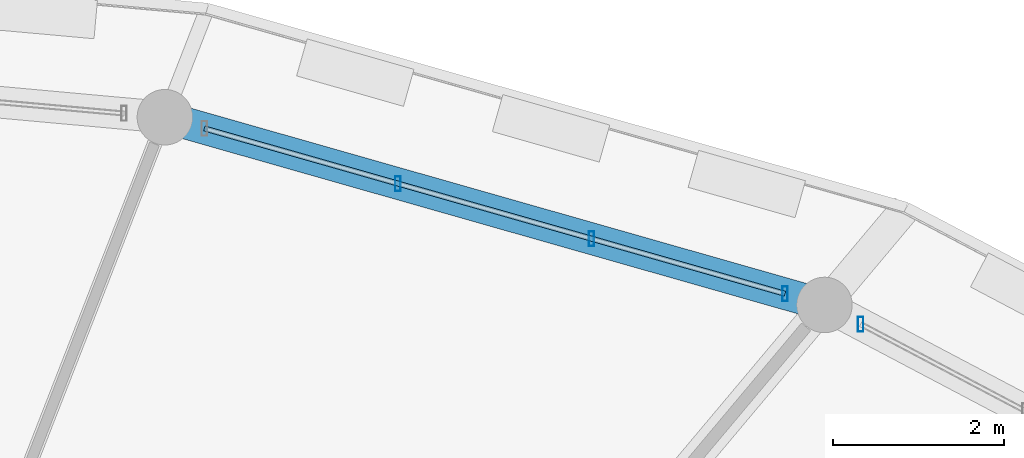
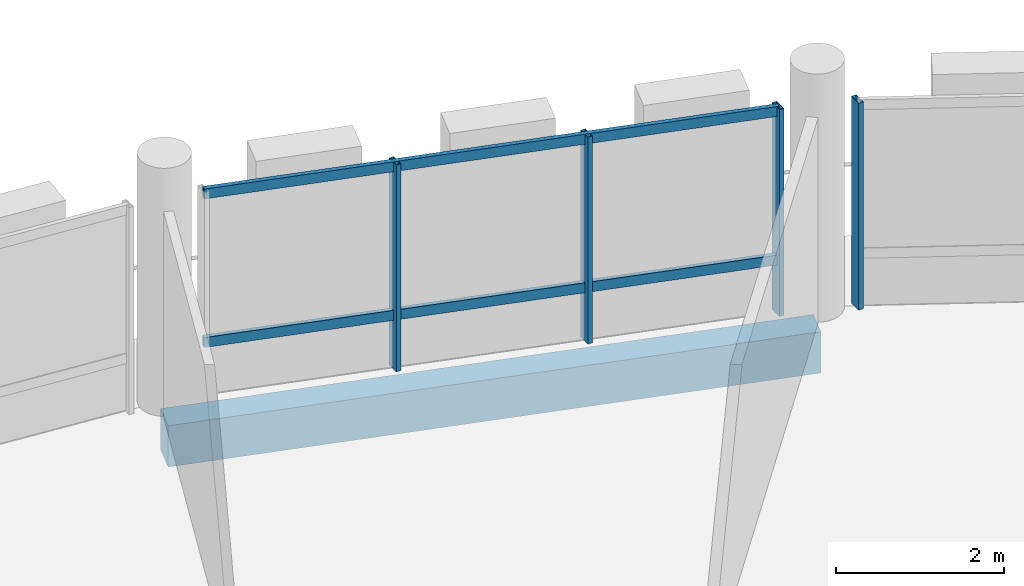
# One storey, part 47 of 93: 6 members, 1 beam, 2 elements without a shape of their own.
"""IFC4 building model written with IfcOpenShell, lengths in metres."""

from ifc_helpers import new_model, si_unit, direction, frame, origin, origin_2d, place, context, subcontext, project, spatial, rectangle, hollow_rectangle, extrude, material, material_profile, profile_set, type_object, element, aggregate, save


model = new_model("IFC4")

# Units and contexts
model_context = context("Model", 3, precision=1e-05, world=origin(), true_north=direction((0.0, 1.0)))
body_context = subcontext(model_context, "Body", "Model", "MODEL_VIEW")
ifc_project = project(units=[si_unit("LENGTHUNIT", "METRE"), si_unit("AREAUNIT", "SQUARE_METRE"), si_unit("VOLUMEUNIT", "CUBIC_METRE"), si_unit("PLANEANGLEUNIT", "RADIAN"), si_unit("MASSUNIT", "GRAM", prefix="KILO")], contexts=[model_context])

# Site, building, storey
site_placement = place(None, origin())
site = spatial("IfcSite", under=ifc_project, at=site_placement, CompositionType="ELEMENT")
building_placement = place(site_placement, origin())
building = spatial("IfcBuilding", under=site, at=building_placement, Name="Zornivar Specialist Clinic", CompositionType="ELEMENT")
storey_placement = place(building_placement, frame((0.0, 0.0, 8.39990234375)))
storey = spatial("IfcBuildingStorey", under=building, at=storey_placement, Name="L02", CompositionType="ELEMENT", Elevation=8.39990234375)

# Beam
ifc_material_1 = material(Name="Concrete C30/37", Category="concrete")
ifc_material_profile_1 = material_profile(ifc_material_1, rectangle(XDim=0.3701171875, YDim=0.60009765625, at=origin_2d()), Name="RC 370x600")
ifc_profile_set_1 = profile_set([ifc_material_profile_1], Name="Concrete C30/37")
beam_type = type_object("IfcBeamType", Name="BM-RC-SPANDREL-370x600", PredefinedType="SPANDREL", material=ifc_profile_set_1)
beam_placement = place(storey_placement, frame((109.60009765625, 76.653076171875, -0.539794921875), z_axis=(-0.961790992591, 0.273784744957, 0.0), x_axis=(-0.273784744957, -0.961790992591, 0.0)))
element("IfcBeam", 1, at=beam_placement, inside=storey, type_object=beam_type, Name="bm:V1:L02:outring:04", PredefinedType="SPANDREL", context=body_context, shape_type="SweptSolid", body=[
    extrude(rectangle(XDim=0.3701171875, YDim=0.60009765625, at=origin_2d()), origin(), (0.0, 0.0, 1.0), 8.024658203125),
])

# Curtain wall, member
ifc_material_2 = material(Name="Aluminium and Low-E Glass Curtain Wall", Category="aluminium")
curtain_wall_type = type_object("IfcCurtainWallType", Name="CW-DRUM-FACET", PredefinedType="NOTDEFINED", material=ifc_material_2)
curtain_wall_1_placement = place(storey_placement, origin())
curtain_wall_1 = element("IfcCurtainWall", 2, at=curtain_wall_1_placement, inside=storey, type_object=curtain_wall_type, Name="cw:V1:L02:c03", PredefinedType="NOTDEFINED")
ifc_material_3 = material(Name="Aluminium AW-6060", Category="aluminium")
ifc_material_profile_2 = material_profile(ifc_material_3, hollow_rectangle(XDim=0.06494140625, YDim=0.175048828125, WallThickness=0.00439453125, at=origin_2d()), Name="ALU 65x175x4.5")
ifc_profile_set_2 = profile_set([ifc_material_profile_2], Name="Aluminium AW-6060")
member_type_1 = type_object("IfcMemberType", Name="CWM-MUL-175", PredefinedType="MULLION", material=ifc_profile_set_2)
member_1_placement = place(storey_placement, frame((110.02392578125, 76.428955078125, 0.0), z_axis=(0.0, 0.0, 1.0), x_axis=(1.0, 0.0, 0.0)))
member_1 = element("IfcMember", 3, at=member_1_placement, type_object=member_type_1, Name="cw:V1:L02:c03:mul:3", PredefinedType="MULLION", context=body_context, shape_type="SweptSolid", body=[
    extrude(hollow_rectangle(XDim=0.06494140625, YDim=0.175048828125, WallThickness=0.00439453125, at=origin_2d()), origin(), (0.0, 0.0, 1.0), 3.010009765625),
])
aggregate(curtain_wall_1, [member_1])

# Curtain wall, members
curtain_wall_2_placement = place(storey_placement, origin())
curtain_wall_2 = element("IfcCurtainWall", 4, at=curtain_wall_2_placement, inside=storey, type_object=curtain_wall_type, Name="cw:V1:L02:c04", PredefinedType="NOTDEFINED")
member_2_placement = place(storey_placement, frame((109.138916015625, 76.783935546875, 0.0), z_axis=(0.0, 0.0, 1.0), x_axis=(1.0, 0.0, 0.0)))
member_2 = element("IfcMember", 5, at=member_2_placement, type_object=member_type_1, Name="cw:V1:L02:c04:mul:0", PredefinedType="MULLION", context=body_context, shape_type="SweptSolid", body=[
    extrude(hollow_rectangle(XDim=0.06494140625, YDim=0.175048828125, WallThickness=0.00439453125, at=origin_2d()), origin(), (0.0, 0.0, 1.0), 3.010009765625),
])
member_3_placement = place(storey_placement, frame((106.8740234375, 77.428955078125, 0.0), z_axis=(0.0, 0.0, 1.0), x_axis=(1.0, 0.0, 0.0)))
member_3 = element("IfcMember", 6, at=member_3_placement, type_object=member_type_1, Name="cw:V1:L02:c04:mul:1", PredefinedType="MULLION", context=body_context, shape_type="SweptSolid", body=[
    extrude(hollow_rectangle(XDim=0.06494140625, YDim=0.175048828125, WallThickness=0.00439453125, at=origin_2d()), origin(), (0.0, 0.0, 1.0), 3.010009765625),
])
member_4_placement = place(storey_placement, frame((104.60791015625, 78.072998046875, 0.0), z_axis=(0.0, 0.0, 1.0), x_axis=(1.0, 0.0, 0.0)))
member_4 = element("IfcMember", 7, at=member_4_placement, type_object=member_type_1, Name="cw:V1:L02:c04:mul:2", PredefinedType="MULLION", context=body_context, shape_type="SweptSolid", body=[
    extrude(hollow_rectangle(XDim=0.06494140625, YDim=0.175048828125, WallThickness=0.00439453125, at=origin_2d()), origin(), (0.0, 0.0, 1.0), 3.010009765625),
])
ifc_material_4 = material(Name="Aluminium AW-6060", Category="aluminium")
ifc_material_profile_3 = material_profile(ifc_material_4, hollow_rectangle(XDim=0.06005859375, YDim=0.14501953125, WallThickness=0.00390625, at=origin_2d()), Name="ALU 60x145x4")
ifc_profile_set_3 = profile_set([ifc_material_profile_3], Name="Aluminium AW-6060")
member_type_2 = type_object("IfcMemberType", Name="CWM-TRN-145", PredefinedType="USERDEFINED", material=ifc_profile_set_3)
member_5_placement = place(storey_placement, frame((109.138916015625, 76.783935546875, 0.783203125), z_axis=(-0.961771283353, 0.27385397298, 0.0), x_axis=(-0.27385397298, -0.961771283353, 0.0)))
member_5 = element("IfcMember", 8, at=member_5_placement, type_object=member_type_2, Name="cw:V1:L02:c04:trn:0", ObjectType="TRANSOM", PredefinedType="USERDEFINED", context=body_context, shape_type="SweptSolid", body=[
    extrude(hollow_rectangle(XDim=0.06005859375, YDim=0.14501953125, WallThickness=0.00390625, at=origin_2d()), origin(), (0.0, 0.0, 1.0), 7.06591796875),
])
member_6_placement = place(storey_placement, frame((109.138916015625, 76.783935546875, 2.945068359375), z_axis=(-0.961771283353, 0.27385397298, 0.0), x_axis=(-0.27385397298, -0.961771283353, 0.0)))
member_6 = element("IfcMember", 9, at=member_6_placement, type_object=member_type_2, Name="cw:V1:L02:c04:trn:1", ObjectType="TRANSOM", PredefinedType="USERDEFINED", context=body_context, shape_type="SweptSolid", body=[
    extrude(hollow_rectangle(XDim=0.06005859375, YDim=0.14501953125, WallThickness=0.00390625, at=origin_2d()), origin(), (0.0, 0.0, 1.0), 7.06591796875),
])
aggregate(curtain_wall_2, [member_2, member_3, member_4, member_5, member_6])

save(model, "model.ifc")
